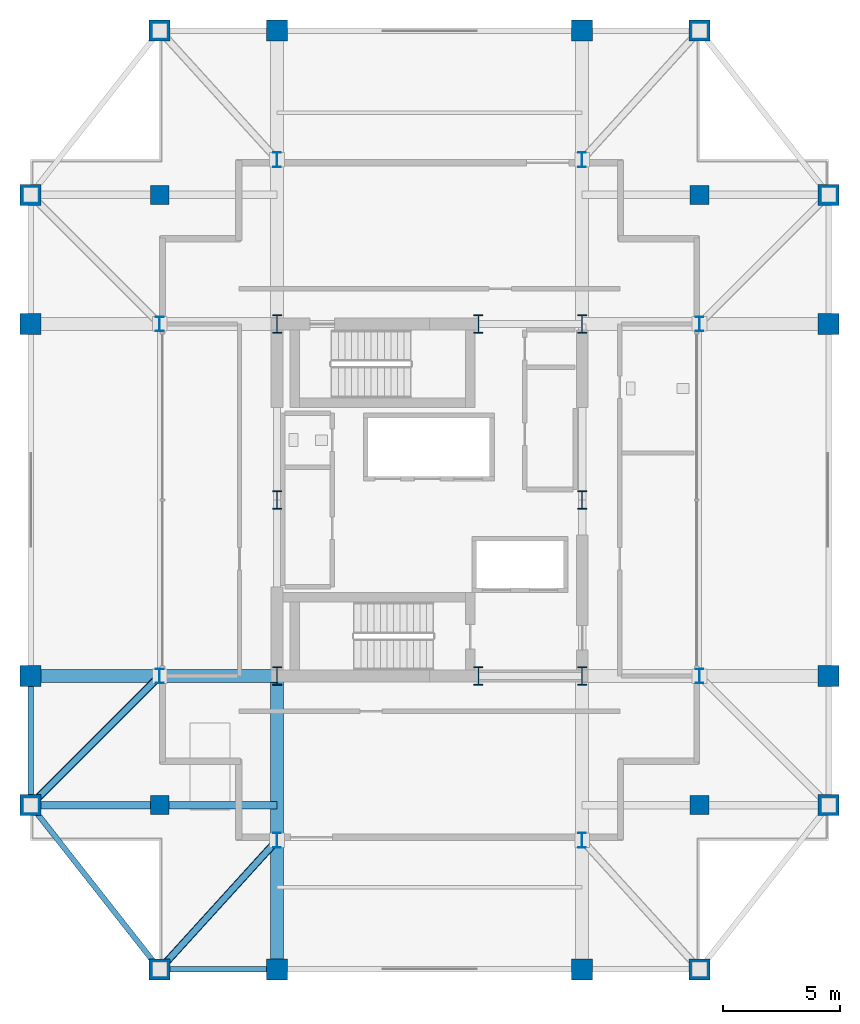
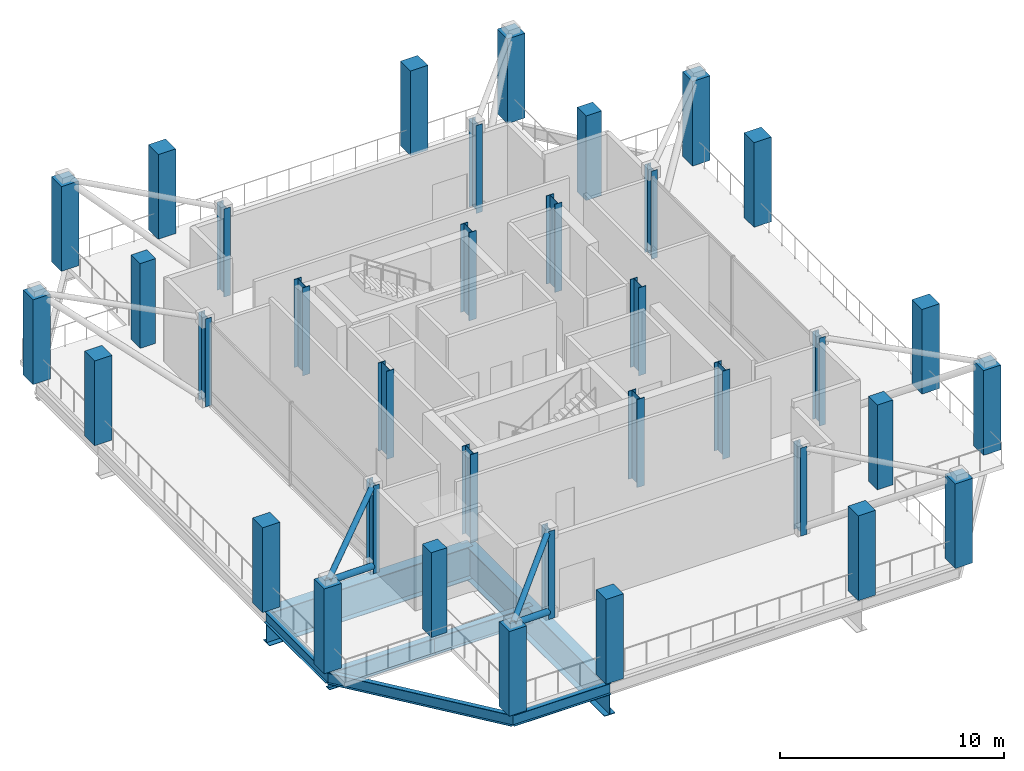
# One storey, part 1 of 17: 36 columns, 7 beams, 4 members.
"""IFC4 building model written with IfcOpenShell, lengths in metres."""

import ifcopenshell
import ifcopenshell.guid

model = None  # the IFC model being written
_history = None  # IfcOwnerHistory: only IFC2X3 demands one
_inside = {}  # id of a spatial element -> (the spatial element, [elements in it])
_under = {}  # id of a project, library or spatial element -> (it, [spatial elements below it])
_declared = {}  # id of a project -> (the project, [libraries it declares])
_typed = {}  # id of a type object -> (the type object, [elements of that type])
_made_of = {}  # id of a material, layer set ... -> (it, [elements and type objects made of it])


def new_model(schema):
    """Start an empty IFC model of exactly this schema.

    Asked for "IFC4X3", IfcOpenShell would pick the latest addendum, in which some entities
    have other attributes; the version numbers below select the first issue.
    IFC2X3 requires an IfcOwnerHistory on every rooted entity: one is made here for all.
    """
    global model, _history
    if schema == "IFC4X3":
        model = ifcopenshell.file(schema_version=(4, 3, 0, 0))
    else:
        model = ifcopenshell.file(schema=schema)
    _inside.clear()
    _under.clear()
    _declared.clear()
    _typed.clear()
    _made_of.clear()
    _history = None
    if model.schema == "IFC2X3":
        org = make("IfcOrganization", Name="unknown")
        user = make(
            "IfcPersonAndOrganization",
            ThePerson=make("IfcPerson", FamilyName="unknown"),
            TheOrganization=org,
        )
        app = make(
            "IfcApplication",
            ApplicationDeveloper=org,
            Version="unknown",
            ApplicationFullName="unknown",
            ApplicationIdentifier="unknown",
        )
        _history = make(
            "IfcOwnerHistory",
            OwningUser=user,
            OwningApplication=app,
            ChangeAction="ADDED",
            CreationDate=0,
        )
    return model


def make(cls, **values):
    """One entity of the class cls with the attributes given. An attribute that is None is left unset."""
    return model.create_entity(
        cls, **{name: value for name, value in values.items() if value is not None}
    )


def rooted(cls, **values):
    """An entity with a GlobalId (a new one), such as an element, a storey or a relation."""
    return make(cls, GlobalId=ifcopenshell.guid.new(), OwnerHistory=_history, **values)


def si_unit(unit_type, name, prefix=None):
    """IfcSIUnit, for example si_unit("LENGTHUNIT", "METRE", prefix="MILLI")."""
    return make("IfcSIUnit", UnitType=unit_type, Prefix=prefix, Name=name)


def assignment(units):
    """IfcUnitAssignment: the units of a project."""
    return None if units is None else make("IfcUnitAssignment", Units=units)


def point(xyz):
    """IfcCartesianPoint."""
    return None if xyz is None else make("IfcCartesianPoint", Coordinates=xyz)


def direction(xyz):
    """IfcDirection."""
    return None if xyz is None else make("IfcDirection", DirectionRatios=xyz)


def frame(location, z_axis=None, x_axis=None):
    """IfcAxis2Placement3D, a coordinate frame: its origin and axes. An axis left out is left unset."""
    return make(
        "IfcAxis2Placement3D",
        Location=point(location),
        Axis=direction(z_axis),
        RefDirection=direction(x_axis),
    )


def frame_2d(location, x_axis=None):
    """IfcAxis2Placement2D, a coordinate frame in the plane: its origin and x axis."""
    return make(
        "IfcAxis2Placement2D", Location=point(location), RefDirection=direction(x_axis)
    )


def origin():
    """The frame at (0, 0, 0) with its axes left unset."""
    return frame((0.0, 0.0, 0.0))


def origin_2d():
    """The frame at (0, 0) in the plane with its x axis left unset."""
    return frame_2d((0.0, 0.0))


def place(relative_to, where):
    """IfcLocalPlacement: puts the frame where relative to a parent placement (None: the world)."""
    return make(
        "IfcLocalPlacement", PlacementRelTo=relative_to, RelativePlacement=where
    )


def context(
    kind, dimensions, precision=None, world=None, true_north=None, identifier=None
):
    """IfcGeometricRepresentationContext, for example the 3D "Model" context."""
    return make(
        "IfcGeometricRepresentationContext",
        ContextIdentifier=identifier,
        ContextType=kind,
        CoordinateSpaceDimension=dimensions,
        Precision=precision,
        WorldCoordinateSystem=world,
        TrueNorth=true_north,
    )


def subcontext(parent, identifier, kind, view, scale=None):
    """IfcGeometricRepresentationSubContext, for example "Body" below "Model"."""
    return make(
        "IfcGeometricRepresentationSubContext",
        ContextIdentifier=identifier,
        ContextType=kind,
        ParentContext=parent,
        TargetScale=scale,
        TargetView=view,
    )


def project(units=None, contexts=None):
    """IfcProject with its units and contexts."""
    return rooted(
        "IfcProject",
        Name="project",
        RepresentationContexts=contexts,
        UnitsInContext=assignment(units),
    )


def spatial(cls, under=None, at=None, **own):
    """A site, building, storey or space (cls), placed at a placement, below another one or the project."""
    s = rooted(cls, ObjectPlacement=at, **own)
    if under is not None:
        _under.setdefault(under.id(), (under, []))[1].append(s)
    return s


def profile(cls, at=None, kind="AREA", **sizes):
    """A parametric profile (cls). Its sizes go by their IFC names, for example OverallWidth=200.0."""
    return make(cls, ProfileType=kind, Position=at, **sizes)


def rectangle(**sizes):
    """IfcRectangleProfileDef."""
    return profile("IfcRectangleProfileDef", **sizes)


def hollow_circle(**sizes):
    """IfcCircleHollowProfileDef."""
    return profile("IfcCircleHollowProfileDef", **sizes)


def i_section(**sizes):
    """IfcIShapeProfileDef."""
    return profile("IfcIShapeProfileDef", **sizes)


def extrude(swept, where, along, depth):
    """IfcExtrudedAreaSolid: the profile swept, set in the frame where, extruded along a direction by depth."""
    return make(
        "IfcExtrudedAreaSolid",
        SweptArea=swept,
        Position=where,
        ExtrudedDirection=direction(along),
        Depth=depth,
    )


def shape(context_of_items, identifier, shape_type, items):
    """IfcShapeRepresentation: the items that make up one representation, for example the "Body"."""
    return make(
        "IfcShapeRepresentation",
        ContextOfItems=context_of_items,
        RepresentationIdentifier=identifier,
        RepresentationType=shape_type,
        Items=items,
    )


def material(Name=None, Category=None):
    """IfcMaterial."""
    return make("IfcMaterial", Name=Name, Category=Category)


def material_profile(
    of_material, cross_section, Name=None, Category=None, Priority=None
):
    """IfcMaterialProfile: a cross section and its material."""
    return make(
        "IfcMaterialProfile",
        Name=Name,
        Material=of_material,
        Profile=cross_section,
        Priority=Priority,
        Category=Category,
    )


def profile_set(profiles, Name=None, composite=None):
    """IfcMaterialProfileSet."""
    return make(
        "IfcMaterialProfileSet",
        Name=Name,
        MaterialProfiles=profiles,
        CompositeProfile=composite,
    )


def made_of(thing, what):
    """Note that an element or type object is made of a material, layer set ...; save() writes the relation."""
    if what is not None:
        _made_of.setdefault(what.id(), (what, []))[1].append(thing)
    return thing


def type_object(cls, material=None, **own):
    """A type object (cls), such as IfcWallType, which elements share."""
    return made_of(rooted(cls, **own), material)


def element(
    cls,
    number,
    at=None,
    inside=None,
    cuts=None,
    type_object=None,
    material=None,
    context=None,
    identifier="Body",
    shape_type=None,
    held_by="IfcProductDefinitionShape",
    body=None,
    shapes=None,
    **own,
):
    """One element of the class cls, such as IfcWall. Its Tag is "e" and its number.

    at: its placement. inside: the storey or other place that contains it. cuts: it is an
    opening in that element (IfcRelVoidsElement). A single representation is given by context,
    identifier, shape_type and body (its items); several are given by shapes. held_by: the class
    of the entity that holds the representations. save() writes the other relations.
    """
    e = rooted(cls, Tag="e%d" % number, ObjectPlacement=at, **own)
    if body is not None:
        shapes = [shape(context, identifier, shape_type, body)]
    if shapes is not None:
        e.Representation = make(held_by, Representations=shapes)
    if inside is not None:
        _inside.setdefault(inside.id(), (inside, []))[1].append(e)
    if cuts is not None:
        rooted(
            "IfcRelVoidsElement", RelatingBuildingElement=cuts, RelatedOpeningElement=e
        )
    if type_object is not None:
        _typed.setdefault(type_object.id(), (type_object, []))[1].append(e)
    return made_of(e, material)


def aggregate(whole, parts):
    """IfcRelAggregates: a whole, such as a stair, and the parts it consists of."""
    return rooted("IfcRelAggregates", RelatingObject=whole, RelatedObjects=parts)


def save(model, path):
    """Write the relations noted so far, then the file.

    IfcRelAggregates (storeys below a building ...), IfcRelContainedInSpatialStructure (elements
    in a storey), IfcRelDefinesByType, IfcRelAssociatesMaterial and IfcRelDeclares: one each for
    every whole, place, type object, material and project.
    """
    for whole, parts in _under.values():
        aggregate(whole, parts)
    for where, things in _inside.values():
        rooted(
            "IfcRelContainedInSpatialStructure",
            RelatedElements=things,
            RelatingStructure=where,
        )
    for kind, things in _typed.values():
        rooted("IfcRelDefinesByType", RelatedObjects=things, RelatingType=kind)
    for what, things in _made_of.values():
        rooted("IfcRelAssociatesMaterial", RelatedObjects=things, RelatingMaterial=what)
    for by, libraries in _declared.values():
        rooted("IfcRelDeclares", RelatingContext=by, RelatedDefinitions=libraries)
    model.write(path)


model = new_model("IFC4")

# Units and contexts
model_context = context("Model", 3, precision=1e-05, world=origin(), true_north=direction((0.0, 1.0)))
body_context = subcontext(model_context, "Body", "Model", "MODEL_VIEW")
ifc_project = project(units=[si_unit("LENGTHUNIT", "METRE"), si_unit("AREAUNIT", "SQUARE_METRE"), si_unit("VOLUMEUNIT", "CUBIC_METRE"), si_unit("PLANEANGLEUNIT", "RADIAN"), si_unit("MASSUNIT", "GRAM", prefix="KILO")], contexts=[model_context])

# Site, building, storey
site_placement = place(None, origin())
site = spatial("IfcSite", under=ifc_project, at=site_placement, CompositionType="ELEMENT")
building_placement = place(site_placement, origin())
building = spatial("IfcBuilding", under=site, at=building_placement, Name="Barlavira Tower and Art Museum", CompositionType="ELEMENT")
storey_placement = place(building_placement, frame((0.0, 0.0, 305.10009765625)))
storey = spatial("IfcBuildingStorey", under=building, at=storey_placement, Name="L80", CompositionType="ELEMENT", Elevation=305.10009765625)

# Columns
ifc_material_1 = material(Name="Steel S355", Category="steel")
ifc_material_profile_1 = material_profile(ifc_material_1, i_section(OverallWidth=0.382080078125, OverallDepth=0.785888671875, WebThickness=0.02001953125, FlangeThickness=0.032958984375, at=origin_2d()), Name="W760x314.0")
ifc_profile_set_1 = profile_set([ifc_material_profile_1], Name="Steel S355")
column_type_1 = type_object("IfcColumnType", Name="Core Composite Column W760x314 Steel S355", PredefinedType="COLUMN", material=ifc_profile_set_1)
for number, where, z_axis, x_axis, name in (
    (1, (-6.5, -7.5, 0.0), (0.0, 0.0, 1.0), (1.0, 0.0, 0.0), "L80 Column CC-L80-C1"),
    (2, (2.080078125, -7.5, 0.0), (0.0, 0.0, 1.0), (1.0, 0.0, 0.0), "L80 Column CC-L80-C2"),
    (3, (6.5, -7.5, 0.0), (0.0, 0.0, 1.0), (1.0, 0.0, 0.0), "L80 Column CC-L80-C3"),
    (4, (-6.5, 0.0, 0.0), (0.0, 0.0, 1.0), (1.0, 0.0, 0.0), "L80 Column CC-L80-C4"),
    (5, (6.5, 0.0, 0.0), (0.0, 0.0, 1.0), (1.0, 0.0, 0.0), "L80 Column CC-L80-C5"),
    (6, (-6.5, 7.5, 0.0), (0.0, 0.0, 1.0), (1.0, 0.0, 0.0), "L80 Column CC-L80-C6"),
    (7, (2.080078125, 7.5, 0.0), (0.0, 0.0, 1.0), (1.0, 0.0, 0.0), "L80 Column CC-L80-C7"),
    (8, (6.5, 7.5, 0.0), (0.0, 0.0, 1.0), (1.0, 0.0, 0.0), "L80 Column CC-L80-C8"),
):
    element("IfcColumn", number, at=place(storey_placement, frame(where, z_axis=z_axis, x_axis=x_axis)), inside=storey, type_object=column_type_1, Name=name, PredefinedType="COLUMN", context=body_context, shape_type="SweptSolid", body=[
        extrude(i_section(OverallWidth=0.382080078125, OverallDepth=0.785888671875, WebThickness=0.02001953125, FlangeThickness=0.032958984375, at=origin_2d()), origin(), (0.0, 0.0, 1.0), 4.7998046875),
    ])
ifc_material_profile_2 = material_profile(ifc_material_1, i_section(OverallWidth=0.327880859375, OverallDepth=0.62890625, WebThickness=0.013916015625, FlangeThickness=0.021484375, at=origin_2d()), Name="W610x174.0")
ifc_profile_set_2 = profile_set([ifc_material_profile_2], Name="Steel S355")
column_type_2 = type_object("IfcColumnType", Name="Crown Frame Column W610x174 Steel S355", PredefinedType="COLUMN", material=ifc_profile_set_2)
for number, where, z_axis, x_axis, name in (
    (9, (-6.5, -14.5, 0.0), (0.0, 0.0, 1.0), (1.0, 0.0, 0.0), "L80 Column CCR-L80-CR1"),
    (10, (6.5, -14.5, 0.0), (0.0, 0.0, 1.0), (1.0, 0.0, 0.0), "L80 Column CCR-L80-CR3"),
    (11, (-11.5, -7.5, 0.0), (0.0, 0.0, 1.0), (1.0, 0.0, 0.0), "L80 Column CCR-L80-CR6"),
    (12, (11.5, -7.5, 0.0), (0.0, 0.0, 1.0), (1.0, 0.0, 0.0), "L80 Column CCR-L80-CR7"),
    (13, (-11.5, 7.5, 0.0), (0.0, 0.0, 1.0), (1.0, 0.0, 0.0), "L80 Column CCR-L80-CRA"),
    (14, (11.5, 7.5, 0.0), (0.0, 0.0, 1.0), (1.0, 0.0, 0.0), "L80 Column CCR-L80-CRB"),
    (15, (-6.5, 14.5, 0.0), (0.0, 0.0, 1.0), (1.0, 0.0, 0.0), "L80 Column CCR-L80-CRE"),
    (16, (6.5, 14.5, 0.0), (0.0, 0.0, 1.0), (1.0, 0.0, 0.0), "L80 Column CCR-L80-CRG"),
):
    element("IfcColumn", number, at=place(storey_placement, frame(where, z_axis=z_axis, x_axis=x_axis)), inside=storey, type_object=column_type_2, Name=name, PredefinedType="COLUMN", context=body_context, shape_type="SweptSolid", body=[
        extrude(i_section(OverallWidth=0.327880859375, OverallDepth=0.62890625, WebThickness=0.013916015625, FlangeThickness=0.021484375, at=origin_2d()), origin(), (0.0, 0.0, 1.0), 4.7998046875),
    ])
ifc_material_2 = material(Name="Concrete C50", Category="concrete")
ifc_material_profile_3 = material_profile(ifc_material_2, rectangle(XDim=0.89990234375, YDim=0.89990234375, at=origin_2d()), Name="RC-COL 900x900")
ifc_profile_set_3 = profile_set([ifc_material_profile_3], Name="Concrete C50")
column_type_3 = type_object("IfcColumnType", Name="Perimeter Mega Column 900x900 Concrete C50", PredefinedType="USERDEFINED", material=ifc_profile_set_3)
for number, where, z_axis, x_axis, name in (
    (17, (-11.5, -20.0, 0.0), (0.0, 0.0, 1.0), (1.0, 0.0, 0.0), "L80 Column MC-L80-M01"),
    (18, (-6.5, -20.0, 0.0), (0.0, 0.0, 1.0), (1.0, 0.0, 0.0), "L80 Column MC-L80-M02"),
    (19, (6.5, -20.0, 0.0), (0.0, 0.0, 1.0), (1.0, 0.0, 0.0), "L80 Column MC-L80-M03"),
    (20, (11.5, -20.0, 0.0), (0.0, 0.0, 1.0), (1.0, 0.0, 0.0), "L80 Column MC-L80-M04"),
    (21, (17.0, -13.0, 0.0), (0.0, 0.0, 1.0), (1.0, 0.0, 0.0), "L80 Column MC-L80-M05"),
    (22, (17.0, -7.5, 0.0), (0.0, 0.0, 1.0), (1.0, 0.0, 0.0), "L80 Column MC-L80-M06"),
    (23, (17.0, 7.5, 0.0), (0.0, 0.0, 1.0), (1.0, 0.0, 0.0), "L80 Column MC-L80-M07"),
    (24, (17.0, 13.0, 0.0), (0.0, 0.0, 1.0), (1.0, 0.0, 0.0), "L80 Column MC-L80-M08"),
    (25, (11.5, 20.0, 0.0), (0.0, 0.0, 1.0), (1.0, 0.0, 0.0), "L80 Column MC-L80-M09"),
    (26, (6.5, 20.0, 0.0), (0.0, 0.0, 1.0), (1.0, 0.0, 0.0), "L80 Column MC-L80-M10"),
    (27, (-6.5, 20.0, 0.0), (0.0, 0.0, 1.0), (1.0, 0.0, 0.0), "L80 Column MC-L80-M11"),
    (28, (-11.5, 20.0, 0.0), (0.0, 0.0, 1.0), (1.0, 0.0, 0.0), "L80 Column MC-L80-M12"),
    (29, (-17.0, 13.0, 0.0), (0.0, 0.0, 1.0), (1.0, 0.0, 0.0), "L80 Column MC-L80-M13"),
    (30, (-17.0, 7.5, 0.0), (0.0, 0.0, 1.0), (1.0, 0.0, 0.0), "L80 Column MC-L80-M14"),
    (31, (-17.0, -7.5, 0.0), (0.0, 0.0, 1.0), (1.0, 0.0, 0.0), "L80 Column MC-L80-M15"),
    (32, (-17.0, -13.0, 0.0), (0.0, 0.0, 1.0), (1.0, 0.0, 0.0), "L80 Column MC-L80-M16"),
):
    element("IfcColumn", number, at=place(storey_placement, frame(where, z_axis=z_axis, x_axis=x_axis)), inside=storey, type_object=column_type_3, Name=name, ObjectType="MEGA COLUMN", PredefinedType="USERDEFINED", context=body_context, shape_type="SweptSolid", body=[
        extrude(rectangle(XDim=0.89990234375, YDim=0.89990234375, at=origin_2d()), origin(), (0.0, 0.0, 1.0), 4.619873046875),
    ])
ifc_material_profile_4 = material_profile(ifc_material_2, rectangle(XDim=0.800048828125, YDim=0.800048828125, at=origin_2d()), Name="RC-COL 800x800")
ifc_profile_set_4 = profile_set([ifc_material_profile_4], Name="Concrete C50")
column_type_4 = type_object("IfcColumnType", Name="Podium Frame Column 800x800 Concrete C50", PredefinedType="COLUMN", material=ifc_profile_set_4)
for number, where, z_axis, x_axis, name in (
    (33, (-11.5, -13.0, 0.0), (0.0, 0.0, 1.0), (1.0, 0.0, 0.0), "L80 Column CI-L80-I1"),
    (34, (11.5, -13.0, 0.0), (0.0, 0.0, 1.0), (1.0, 0.0, 0.0), "L80 Column CI-L80-I2"),
    (35, (-11.5, 13.0, 0.0), (0.0, 0.0, 1.0), (1.0, 0.0, 0.0), "L80 Column CI-L80-I3"),
    (36, (11.5, 13.0, 0.0), (0.0, 0.0, 1.0), (1.0, 0.0, 0.0), "L80 Column CI-L80-I4"),
):
    element("IfcColumn", number, at=place(storey_placement, frame(where, z_axis=z_axis, x_axis=x_axis)), inside=storey, type_object=column_type_4, Name=name, PredefinedType="COLUMN", context=body_context, shape_type="SweptSolid", body=[
        extrude(rectangle(XDim=0.800048828125, YDim=0.800048828125, at=origin_2d()), origin(), (0.0, 0.0, 1.0), 4.619873046875),
    ])

# Members
ifc_material_profile_5 = material_profile(ifc_material_1, hollow_circle(Radius=0.136474609375, WallThickness=0.012451171875, at=origin_2d()), Name="CHS 273.0x12.5")
ifc_profile_set_5 = profile_set([ifc_material_profile_5], Name="Steel S355")
member_type_1 = type_object("IfcMemberType", Name="Pale-Metal Canopy Tie Strut CHS 273x12.5 Steel S355", PredefinedType="STRUT", material=ifc_profile_set_5)
member_1_placement = place(storey_placement, frame((-11.5, -7.5, 4.619873046875), z_axis=(-0.707106781187, -0.707106781187, 0.0), x_axis=(0.707106781187, -0.707106781187, 0.0)))
element("IfcMember", 37, at=member_1_placement, inside=storey, type_object=member_type_1, Name="L80 Lookout Canopy Horizontal Tie 1", PredefinedType="STRUT", context=body_context, shape_type="SweptSolid", body=[
    extrude(hollow_circle(Radius=0.136474609375, WallThickness=0.012451171875, at=origin_2d()), origin(), (0.0, 0.0, 1.0), 7.778076171875),
])
member_2_placement = place(storey_placement, frame((-6.5, -14.5, 4.619873046875), z_axis=(-0.672672793996, -0.739940073396, 0.0), x_axis=(0.739940073396, -0.672672793996, 0.0)))
element("IfcMember", 38, at=member_2_placement, inside=storey, type_object=member_type_1, Name="L80 Lookout Canopy Horizontal Tie 5", PredefinedType="STRUT", context=body_context, shape_type="SweptSolid", body=[
    extrude(hollow_circle(Radius=0.136474609375, WallThickness=0.012451171875, at=origin_2d()), origin(), (0.0, 0.0, 1.0), 7.43310546875),
])
ifc_material_profile_6 = material_profile(ifc_material_1, hollow_circle(Radius=0.161865234375, WallThickness=0.01611328125, at=origin_2d()), Name="CHS 323.9x16.0")
ifc_profile_set_6 = profile_set([ifc_material_profile_6], Name="Steel S355")
member_type_2 = type_object("IfcMemberType", Name="Pale-Metal Crown Diagrid Tube CHS 324x16 Steel S355", PredefinedType="BRACE", material=ifc_profile_set_6)
member_3_placement = place(storey_placement, frame((-11.5, -7.5, 0.199951171875), z_axis=(-0.614781499952, -0.614781499952, 0.494052036361), x_axis=(0.707106781187, -0.707106781187, 0.0)))
element("IfcMember", 39, at=member_3_placement, inside=storey, type_object=member_type_2, Name="L80 Lookout Canopy Raking Strut 1", PredefinedType="BRACE", context=body_context, shape_type="SweptSolid", body=[
    extrude(hollow_circle(Radius=0.161865234375, WallThickness=0.01611328125, at=origin_2d()), origin(), (0.0, 0.0, 1.0), 8.9462890625),
])
member_4_placement = place(storey_placement, frame((-6.5, -14.5, 0.199951171875), z_axis=(-0.578176845865, -0.635994530451, 0.511099297731), x_axis=(0.739940073396, -0.672672793996, 0.0)))
element("IfcMember", 40, at=member_4_placement, inside=storey, type_object=member_type_2, Name="L80 Lookout Canopy Raking Strut 5", PredefinedType="BRACE", context=body_context, shape_type="SweptSolid", body=[
    extrude(hollow_circle(Radius=0.161865234375, WallThickness=0.01611328125, at=origin_2d()), origin(), (0.0, 0.0, 1.0), 8.64794921875),
])

# Beams
ifc_material_profile_7 = material_profile(ifc_material_1, i_section(OverallWidth=0.30908203125, OverallDepth=0.931884765625, WebThickness=0.01953125, FlangeThickness=0.034423828125, at=origin_2d()), Name="W920x313.0")
ifc_profile_set_7 = profile_set([ifc_material_profile_7], Name="Steel S355")
beam_type_1 = type_object("IfcBeamType", Name="Setback Ring Girder W920x313 Steel S355", PredefinedType="BEAM", material=ifc_profile_set_7)
beam_1_placement = place(storey_placement, frame((-17.0, -13.0, -0.76611328125), z_axis=(1.0, 0.0, 0.0), x_axis=(0.0, 1.0, 0.0)))
element("IfcBeam", 41, at=beam_1_placement, inside=storey, type_object=beam_type_1, Name="L80 Girder I-S1", PredefinedType="BEAM", context=body_context, shape_type="SweptSolid", body=[
    extrude(i_section(OverallWidth=0.30908203125, OverallDepth=0.931884765625, WebThickness=0.01953125, FlangeThickness=0.034423828125, at=origin_2d()), origin(), (0.0, 0.0, 1.0), 5.5),
])
beam_2_placement = place(storey_placement, frame((-11.5, -13.0, -0.76611328125), z_axis=(1.0, 0.0, 0.0), x_axis=(0.0, 1.0, 0.0)))
element("IfcBeam", 42, at=beam_2_placement, inside=storey, type_object=beam_type_1, Name="L80 Girder I-S2", PredefinedType="BEAM", context=body_context, shape_type="SweptSolid", body=[
    extrude(i_section(OverallWidth=0.30908203125, OverallDepth=0.931884765625, WebThickness=0.01953125, FlangeThickness=0.034423828125, at=origin_2d()), origin(), (0.0, 0.0, 1.0), 5.0),
])
ifc_material_profile_8 = material_profile(ifc_material_1, i_section(OverallWidth=0.22998046875, OverallDepth=0.616943359375, WebThickness=0.01318359375, FlangeThickness=0.022216796875, at=origin_2d()), Name="W610x140.0")
ifc_profile_set_8 = profile_set([ifc_material_profile_8], Name="Steel S355")
beam_type_2 = type_object("IfcBeamType", Name="Upper Shaft Spandrel Edge Beam W610x140 Steel S355", PredefinedType="SPANDREL", material=ifc_profile_set_8)
beam_3_placement = place(storey_placement, frame((-11.5, -20.0, -0.608642578125), z_axis=(1.0, 0.0, 0.0), x_axis=(0.0, 1.0, 0.0)))
element("IfcBeam", 43, at=beam_3_placement, inside=storey, type_object=beam_type_2, Name="L80 Spandrel 1", PredefinedType="SPANDREL", context=body_context, shape_type="SweptSolid", body=[
    extrude(i_section(OverallWidth=0.22998046875, OverallDepth=0.616943359375, WebThickness=0.01318359375, FlangeThickness=0.022216796875, at=origin_2d()), origin(), (0.0, 0.0, 1.0), 5.0),
])
beam_4_placement = place(storey_placement, frame((-17.0, -13.0, -0.608642578125), z_axis=(0.0, 1.0, 0.0), x_axis=(-1.0, 0.0, 0.0)))
element("IfcBeam", 44, at=beam_4_placement, inside=storey, type_object=beam_type_2, Name="L80 Spandrel 15", PredefinedType="SPANDREL", context=body_context, shape_type="SweptSolid", body=[
    extrude(i_section(OverallWidth=0.22998046875, OverallDepth=0.616943359375, WebThickness=0.01318359375, FlangeThickness=0.022216796875, at=origin_2d()), origin(), (0.0, 0.0, 1.0), 5.5),
])
beam_5_placement = place(storey_placement, frame((-17.0, -13.0, -0.608642578125), z_axis=(0.617821551932, -0.786318338822, 0.0), x_axis=(0.786318338822, 0.617821551932, 0.0)))
element("IfcBeam", 45, at=beam_5_placement, inside=storey, type_object=beam_type_2, Name="L80 Spandrel 16", PredefinedType="SPANDREL", context=body_context, shape_type="SweptSolid", body=[
    extrude(i_section(OverallWidth=0.22998046875, OverallDepth=0.616943359375, WebThickness=0.01318359375, FlangeThickness=0.022216796875, at=origin_2d()), origin(), (0.0, 0.0, 1.0), 8.90234375),
])
ifc_material_profile_9 = material_profile(ifc_material_1, i_section(OverallWidth=0.550048828125, OverallDepth=1.800048828125, WebThickness=0.02587890625, FlangeThickness=0.033935546875, at=origin_2d()), Name="CVS1800x520")
ifc_profile_set_9 = profile_set([ifc_material_profile_9], Name="Steel S355")
beam_type_3 = type_object("IfcBeamType", Name="Zone Setback Transfer Girder CVS1800x520 Steel S355", PredefinedType="USERDEFINED", material=ifc_profile_set_9)
beam_6_placement = place(storey_placement, frame((-6.5, -20.0, -1.2001953125), z_axis=(0.0, 1.0, 0.0), x_axis=(-1.0, 0.0, 0.0)))
element("IfcBeam", 46, at=beam_6_placement, inside=storey, type_object=beam_type_3, Name="L80 Crown Transfer Girder TG80-01", ObjectType="TRANSFER GIRDER", PredefinedType="USERDEFINED", context=body_context, shape_type="SweptSolid", body=[
    extrude(i_section(OverallWidth=0.550048828125, OverallDepth=1.800048828125, WebThickness=0.02587890625, FlangeThickness=0.033935546875, at=origin_2d()), origin(), (0.0, 0.0, 1.0), 12.5),
])
beam_7_placement = place(storey_placement, frame((-17.0, -7.5, -1.2001953125), z_axis=(1.0, 0.0, 0.0), x_axis=(0.0, 1.0, 0.0)))
element("IfcBeam", 47, at=beam_7_placement, inside=storey, type_object=beam_type_3, Name="L80 Crown Transfer Girder TG80-09", ObjectType="TRANSFER GIRDER", PredefinedType="USERDEFINED", context=body_context, shape_type="SweptSolid", body=[
    extrude(i_section(OverallWidth=0.550048828125, OverallDepth=1.800048828125, WebThickness=0.02587890625, FlangeThickness=0.033935546875, at=origin_2d()), origin(), (0.0, 0.0, 1.0), 10.5),
])

save(model, "model.ifc")
